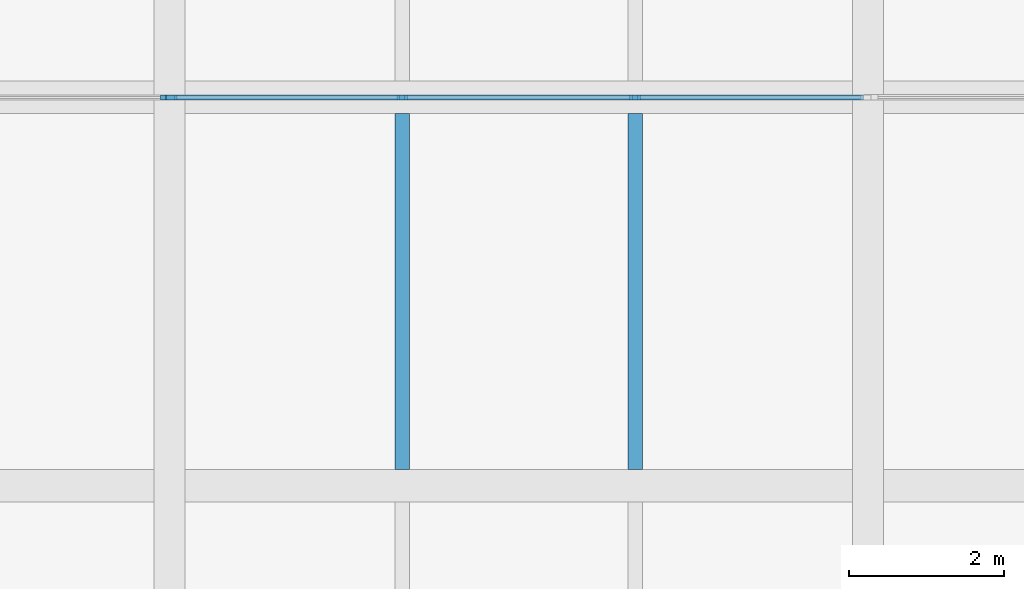
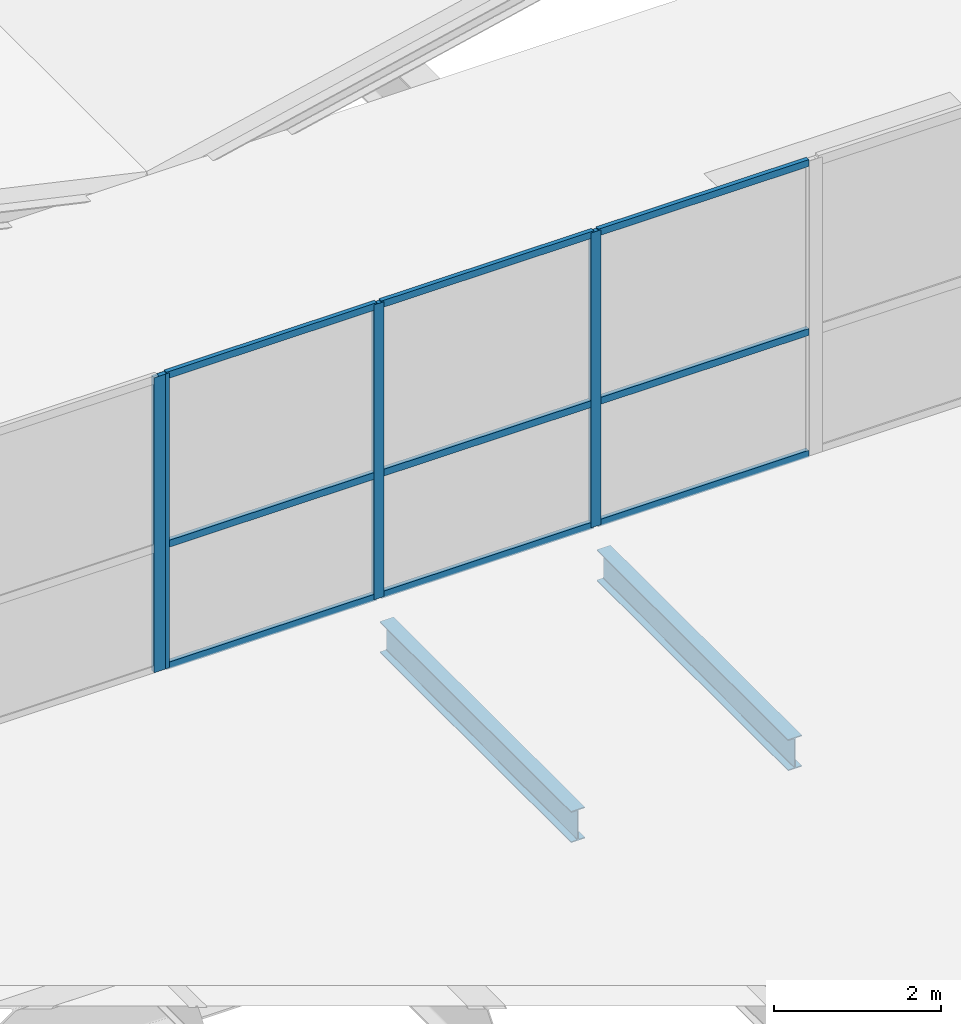
# One storey, part 26 of 50: 13 members, 2 beams, 2 elements without a shape of their own.
"""IFC4 building model written with IfcOpenShell, lengths in metres."""

import ifcopenshell
import ifcopenshell.guid

model = None  # the IFC model being written
_history = None  # IfcOwnerHistory: only IFC2X3 demands one
_inside = {}  # id of a spatial element -> (the spatial element, [elements in it])
_under = {}  # id of a project, library or spatial element -> (it, [spatial elements below it])
_declared = {}  # id of a project -> (the project, [libraries it declares])
_typed = {}  # id of a type object -> (the type object, [elements of that type])
_made_of = {}  # id of a material, layer set ... -> (it, [elements and type objects made of it])


def new_model(schema):
    """Start an empty IFC model of exactly this schema.

    Asked for "IFC4X3", IfcOpenShell would pick the latest addendum, in which some entities
    have other attributes; the version numbers below select the first issue.
    IFC2X3 requires an IfcOwnerHistory on every rooted entity: one is made here for all.
    """
    global model, _history
    if schema == "IFC4X3":
        model = ifcopenshell.file(schema_version=(4, 3, 0, 0))
    else:
        model = ifcopenshell.file(schema=schema)
    _inside.clear()
    _under.clear()
    _declared.clear()
    _typed.clear()
    _made_of.clear()
    _history = None
    if model.schema == "IFC2X3":
        org = make("IfcOrganization", Name="unknown")
        user = make(
            "IfcPersonAndOrganization",
            ThePerson=make("IfcPerson", FamilyName="unknown"),
            TheOrganization=org,
        )
        app = make(
            "IfcApplication",
            ApplicationDeveloper=org,
            Version="unknown",
            ApplicationFullName="unknown",
            ApplicationIdentifier="unknown",
        )
        _history = make(
            "IfcOwnerHistory",
            OwningUser=user,
            OwningApplication=app,
            ChangeAction="ADDED",
            CreationDate=0,
        )
    return model


def make(cls, **values):
    """One entity of the class cls with the attributes given. An attribute that is None is left unset."""
    return model.create_entity(
        cls, **{name: value for name, value in values.items() if value is not None}
    )


def rooted(cls, **values):
    """An entity with a GlobalId (a new one), such as an element, a storey or a relation."""
    return make(cls, GlobalId=ifcopenshell.guid.new(), OwnerHistory=_history, **values)


def si_unit(unit_type, name, prefix=None):
    """IfcSIUnit, for example si_unit("LENGTHUNIT", "METRE", prefix="MILLI")."""
    return make("IfcSIUnit", UnitType=unit_type, Prefix=prefix, Name=name)


def assignment(units):
    """IfcUnitAssignment: the units of a project."""
    return None if units is None else make("IfcUnitAssignment", Units=units)


def point(xyz):
    """IfcCartesianPoint."""
    return None if xyz is None else make("IfcCartesianPoint", Coordinates=xyz)


def direction(xyz):
    """IfcDirection."""
    return None if xyz is None else make("IfcDirection", DirectionRatios=xyz)


def frame(location, z_axis=None, x_axis=None):
    """IfcAxis2Placement3D, a coordinate frame: its origin and axes. An axis left out is left unset."""
    return make(
        "IfcAxis2Placement3D",
        Location=point(location),
        Axis=direction(z_axis),
        RefDirection=direction(x_axis),
    )


def frame_2d(location, x_axis=None):
    """IfcAxis2Placement2D, a coordinate frame in the plane: its origin and x axis."""
    return make(
        "IfcAxis2Placement2D", Location=point(location), RefDirection=direction(x_axis)
    )


def origin():
    """The frame at (0, 0, 0) with its axes left unset."""
    return frame((0.0, 0.0, 0.0))


def origin_2d():
    """The frame at (0, 0) in the plane with its x axis left unset."""
    return frame_2d((0.0, 0.0))


def place(relative_to, where):
    """IfcLocalPlacement: puts the frame where relative to a parent placement (None: the world)."""
    return make(
        "IfcLocalPlacement", PlacementRelTo=relative_to, RelativePlacement=where
    )


def context(
    kind, dimensions, precision=None, world=None, true_north=None, identifier=None
):
    """IfcGeometricRepresentationContext, for example the 3D "Model" context."""
    return make(
        "IfcGeometricRepresentationContext",
        ContextIdentifier=identifier,
        ContextType=kind,
        CoordinateSpaceDimension=dimensions,
        Precision=precision,
        WorldCoordinateSystem=world,
        TrueNorth=true_north,
    )


def subcontext(parent, identifier, kind, view, scale=None):
    """IfcGeometricRepresentationSubContext, for example "Body" below "Model"."""
    return make(
        "IfcGeometricRepresentationSubContext",
        ContextIdentifier=identifier,
        ContextType=kind,
        ParentContext=parent,
        TargetScale=scale,
        TargetView=view,
    )


def project(units=None, contexts=None):
    """IfcProject with its units and contexts."""
    return rooted(
        "IfcProject",
        Name="project",
        RepresentationContexts=contexts,
        UnitsInContext=assignment(units),
    )


def spatial(cls, under=None, at=None, **own):
    """A site, building, storey or space (cls), placed at a placement, below another one or the project."""
    s = rooted(cls, ObjectPlacement=at, **own)
    if under is not None:
        _under.setdefault(under.id(), (under, []))[1].append(s)
    return s


def profile(cls, at=None, kind="AREA", **sizes):
    """A parametric profile (cls). Its sizes go by their IFC names, for example OverallWidth=200.0."""
    return make(cls, ProfileType=kind, Position=at, **sizes)


def rectangle(**sizes):
    """IfcRectangleProfileDef."""
    return profile("IfcRectangleProfileDef", **sizes)


def i_section(**sizes):
    """IfcIShapeProfileDef."""
    return profile("IfcIShapeProfileDef", **sizes)


def extrude(swept, where, along, depth):
    """IfcExtrudedAreaSolid: the profile swept, set in the frame where, extruded along a direction by depth."""
    return make(
        "IfcExtrudedAreaSolid",
        SweptArea=swept,
        Position=where,
        ExtrudedDirection=direction(along),
        Depth=depth,
    )


def shape(context_of_items, identifier, shape_type, items):
    """IfcShapeRepresentation: the items that make up one representation, for example the "Body"."""
    return make(
        "IfcShapeRepresentation",
        ContextOfItems=context_of_items,
        RepresentationIdentifier=identifier,
        RepresentationType=shape_type,
        Items=items,
    )


def material(Name=None, Category=None):
    """IfcMaterial."""
    return make("IfcMaterial", Name=Name, Category=Category)


def layer(
    of_material, thickness, ventilated=None, Name=None, Category=None, Priority=None
):
    """IfcMaterialLayer: one layer of a wall or slab, of a material (None: an air gap)."""
    return make(
        "IfcMaterialLayer",
        Material=of_material,
        LayerThickness=thickness,
        IsVentilated=ventilated,
        Name=Name,
        Category=Category,
        Priority=Priority,
    )


def layer_set(layers, Name=None):
    """IfcMaterialLayerSet."""
    return make("IfcMaterialLayerSet", MaterialLayers=layers, LayerSetName=Name)


def material_profile(
    of_material, cross_section, Name=None, Category=None, Priority=None
):
    """IfcMaterialProfile: a cross section and its material."""
    return make(
        "IfcMaterialProfile",
        Name=Name,
        Material=of_material,
        Profile=cross_section,
        Priority=Priority,
        Category=Category,
    )


def profile_set(profiles, Name=None, composite=None):
    """IfcMaterialProfileSet."""
    return make(
        "IfcMaterialProfileSet",
        Name=Name,
        MaterialProfiles=profiles,
        CompositeProfile=composite,
    )


def made_of(thing, what):
    """Note that an element or type object is made of a material, layer set ...; save() writes the relation."""
    if what is not None:
        _made_of.setdefault(what.id(), (what, []))[1].append(thing)
    return thing


def type_object(cls, material=None, **own):
    """A type object (cls), such as IfcWallType, which elements share."""
    return made_of(rooted(cls, **own), material)


def element(
    cls,
    number,
    at=None,
    inside=None,
    cuts=None,
    type_object=None,
    material=None,
    context=None,
    identifier="Body",
    shape_type=None,
    held_by="IfcProductDefinitionShape",
    body=None,
    shapes=None,
    **own,
):
    """One element of the class cls, such as IfcWall. Its Tag is "e" and its number.

    at: its placement. inside: the storey or other place that contains it. cuts: it is an
    opening in that element (IfcRelVoidsElement). A single representation is given by context,
    identifier, shape_type and body (its items); several are given by shapes. held_by: the class
    of the entity that holds the representations. save() writes the other relations.
    """
    e = rooted(cls, Tag="e%d" % number, ObjectPlacement=at, **own)
    if body is not None:
        shapes = [shape(context, identifier, shape_type, body)]
    if shapes is not None:
        e.Representation = make(held_by, Representations=shapes)
    if inside is not None:
        _inside.setdefault(inside.id(), (inside, []))[1].append(e)
    if cuts is not None:
        rooted(
            "IfcRelVoidsElement", RelatingBuildingElement=cuts, RelatedOpeningElement=e
        )
    if type_object is not None:
        _typed.setdefault(type_object.id(), (type_object, []))[1].append(e)
    return made_of(e, material)


def aggregate(whole, parts):
    """IfcRelAggregates: a whole, such as a stair, and the parts it consists of."""
    return rooted("IfcRelAggregates", RelatingObject=whole, RelatedObjects=parts)


def save(model, path):
    """Write the relations noted so far, then the file.

    IfcRelAggregates (storeys below a building ...), IfcRelContainedInSpatialStructure (elements
    in a storey), IfcRelDefinesByType, IfcRelAssociatesMaterial and IfcRelDeclares: one each for
    every whole, place, type object, material and project.
    """
    for whole, parts in _under.values():
        aggregate(whole, parts)
    for where, things in _inside.values():
        rooted(
            "IfcRelContainedInSpatialStructure",
            RelatedElements=things,
            RelatingStructure=where,
        )
    for kind, things in _typed.values():
        rooted("IfcRelDefinesByType", RelatedObjects=things, RelatingType=kind)
    for what, things in _made_of.values():
        rooted("IfcRelAssociatesMaterial", RelatedObjects=things, RelatingMaterial=what)
    for by, libraries in _declared.values():
        rooted("IfcRelDeclares", RelatingContext=by, RelatedDefinitions=libraries)
    model.write(path)


model = new_model("IFC4")

# Units and contexts
model_context = context("Model", 3, precision=1e-05, world=origin(), true_north=direction((0.0, 1.0)))
body_context = subcontext(model_context, "Body", "Model", "MODEL_VIEW")
ifc_project = project(units=[si_unit("LENGTHUNIT", "METRE"), si_unit("AREAUNIT", "SQUARE_METRE"), si_unit("VOLUMEUNIT", "CUBIC_METRE"), si_unit("PLANEANGLEUNIT", "RADIAN"), si_unit("MASSUNIT", "GRAM", prefix="KILO")], contexts=[model_context])

# Site, building, storey
site_placement = place(None, origin())
site = spatial("IfcSite", under=ifc_project, at=site_placement, CompositionType="ELEMENT")
building_placement = place(site_placement, origin())
building = spatial("IfcBuilding", under=site, at=building_placement, Name="Qamarlyn Nura Convention Centre", CompositionType="ELEMENT")
storey_placement = place(building_placement, frame((0.0, 0.0, 20.39990234375)))
storey = spatial("IfcBuildingStorey", under=building, at=storey_placement, Name="L04", CompositionType="ELEMENT", Elevation=20.39990234375)

# Beams
ifc_material_1 = material(Name="Steel ASTM A992", Category="steel")
ifc_material_profile_1 = material_profile(ifc_material_1, i_section(OverallWidth=0.18994140625, OverallDepth=0.45703125, WebThickness=0.009033203125, FlangeThickness=0.014404296875, FilletRadius=0.012939453125, at=origin_2d()), Name="W460X74")
ifc_profile_set_1 = profile_set([ifc_material_profile_1], Name="Steel ASTM A992")
beam_type = type_object("IfcBeamType", Name="BM-JOIST-460", PredefinedType="JOIST", material=ifc_profile_set_1)
for number, where, z_axis, x_axis, name in (
    (1, (174.0, 103.208984375, -0.428466796875), (0.0, 1.0, 0.0), (-1.0, 0.0, 0.0), "L04 secondary joist 15-16/M-N-54"),
    (2, (177.0, 103.208984375, -0.428466796875), (0.0, 1.0, 0.0), (-1.0, 0.0, 0.0), "L04 secondary joist 15-16/M-N-55"),
):
    element("IfcBeam", number, at=place(storey_placement, frame(where, z_axis=z_axis, x_axis=x_axis)), inside=storey, type_object=beam_type, Name=name, PredefinedType="JOIST", context=body_context, shape_type="SweptSolid", body=[
        extrude(i_section(OverallWidth=0.18994140625, OverallDepth=0.45703125, WebThickness=0.009033203125, FlangeThickness=0.014404296875, FilletRadius=0.012939453125, at=origin_2d()), origin(), (0.0, 0.0, 1.0), 4.58203125),
    ])

# Curtain wall, members
ifc_material_2 = material(Name="Double-silver low-E insulated glass", Category="glass")
ifc_layer = layer(ifc_material_2, 0.179931640625, Name="CW-UNIT-149")
ifc_layer_set = layer_set([ifc_layer], Name="Double-silver low-E insulated glass")
curtain_wall_type = type_object("IfcCurtainWallType", Name="CW-UNIT-149", PredefinedType="NOTDEFINED", material=ifc_layer_set)
curtain_wall_1_placement = place(storey_placement, origin())
curtain_wall_1 = element("IfcCurtainWall", 3, at=curtain_wall_1_placement, inside=storey, type_object=curtain_wall_type, Name="L04 unitised curtain wall DLN-171-1", PredefinedType="NOTDEFINED")
ifc_material_3 = material(Name="Champagne-anodised marine aluminium", Category="aluminium")
ifc_material_profile_2 = material_profile(ifc_material_3, rectangle(XDim=0.06005859375, YDim=0.139892578125, at=origin_2d()), Name="ALU MULLION 60x140")
ifc_profile_set_2 = profile_set([ifc_material_profile_2], Name="Champagne-anodised marine aluminium")
member_type_1 = type_object("IfcMemberType", Name="CWM-140", PredefinedType="MULLION", material=ifc_profile_set_2)
member_1_placement = place(storey_placement, frame((171.030029296875, 108.0, 0.0), z_axis=(0.0, 0.0, 1.0), x_axis=(0.0, 1.0, 0.0)))
member_1 = element("IfcMember", 4, at=member_1_placement, type_object=member_type_1, Name="CW149 mullion 1", PredefinedType="MULLION", context=body_context, shape_type="SweptSolid", body=[
    extrude(rectangle(XDim=0.06005859375, YDim=0.139892578125, at=origin_2d()), origin(), (0.0, 0.0, 1.0), 4.31005859375),
])
member_2_placement = place(storey_placement, frame((174.0, 108.0, 0.0), z_axis=(0.0, 0.0, 1.0), x_axis=(0.0, 1.0, 0.0)))
member_2 = element("IfcMember", 5, at=member_2_placement, type_object=member_type_1, Name="CW149 mullion 2", PredefinedType="MULLION", context=body_context, shape_type="SweptSolid", body=[
    extrude(rectangle(XDim=0.06005859375, YDim=0.139892578125, at=origin_2d()), origin(), (0.0, 0.0, 1.0), 4.31005859375),
])
member_3_placement = place(storey_placement, frame((177.0, 108.0, 0.0), z_axis=(0.0, 0.0, 1.0), x_axis=(0.0, 1.0, 0.0)))
member_3 = element("IfcMember", 6, at=member_3_placement, type_object=member_type_1, Name="CW149 mullion 3", PredefinedType="MULLION", context=body_context, shape_type="SweptSolid", body=[
    extrude(rectangle(XDim=0.06005859375, YDim=0.139892578125, at=origin_2d()), origin(), (0.0, 0.0, 1.0), 4.31005859375),
])

# Curtain wall, member
curtain_wall_2_placement = place(storey_placement, origin())
curtain_wall_2 = element("IfcCurtainWall", 7, at=curtain_wall_2_placement, inside=storey, type_object=curtain_wall_type, Name="L04 unitised curtain wall DLN-162-1", PredefinedType="NOTDEFINED")
ifc_material_profile_3 = material_profile(ifc_material_3, rectangle(XDim=0.06494140625, YDim=0.159912109375, at=origin_2d()), Name="ALU MULLION 65x160")
ifc_profile_set_3 = profile_set([ifc_material_profile_3], Name="Champagne-anodised marine aluminium")
member_type_2 = type_object("IfcMemberType", Name="CWM-160", PredefinedType="MULLION", material=ifc_profile_set_3)
member_4_placement = place(storey_placement, frame((170.967529296875, 108.0, 0.0), z_axis=(0.0, 0.0, 1.0), x_axis=(0.0, 1.0, 0.0)))
member_4 = element("IfcMember", 8, at=member_4_placement, type_object=member_type_2, Name="CW149 mullion 4", PredefinedType="MULLION", context=body_context, shape_type="SweptSolid", body=[
    extrude(rectangle(XDim=0.06494140625, YDim=0.159912109375, at=origin_2d()), origin(), (0.0, 0.0, 1.0), 4.31005859375),
])
aggregate(curtain_wall_2, [member_4])

# Member
ifc_material_profile_4 = material_profile(ifc_material_3, rectangle(XDim=0.06005859375, YDim=0.10009765625, at=origin_2d()), Name="ALU TRANSOM 60x100")
ifc_profile_set_4 = profile_set([ifc_material_profile_4], Name="Champagne-anodised marine aluminium")
member_type_3 = type_object("IfcMemberType", Name="CWT-100", PredefinedType="USERDEFINED", material=ifc_profile_set_4)
member_5_placement = place(storey_placement, frame((171.06005859375, 108.0, 0.030029296875), z_axis=(1.0, 0.0, 0.0), x_axis=(0.0, 1.0, 0.0)))
member_5 = element("IfcMember", 9, at=member_5_placement, type_object=member_type_3, Name="CW149 transom 1.1", ObjectType="TRANSOM", PredefinedType="USERDEFINED", context=body_context, shape_type="SweptSolid", body=[
    extrude(rectangle(XDim=0.06005859375, YDim=0.10009765625, at=origin_2d()), origin(), (0.0, 0.0, 1.0), 2.909912109375),
])

member_6_placement = place(storey_placement, frame((171.06005859375, 108.0, 1.81005859375), z_axis=(1.0, 0.0, 0.0), x_axis=(0.0, 1.0, 0.0)))
member_6 = element("IfcMember", 10, at=member_6_placement, type_object=member_type_3, Name="CW149 transom 1.2", ObjectType="TRANSOM", PredefinedType="USERDEFINED", context=body_context, shape_type="SweptSolid", body=[
    extrude(rectangle(XDim=0.06005859375, YDim=0.10009765625, at=origin_2d()), origin(), (0.0, 0.0, 1.0), 2.909912109375),
])

member_7_placement = place(storey_placement, frame((171.06005859375, 108.0, 4.280029296875), z_axis=(1.0, 0.0, 0.0), x_axis=(0.0, 1.0, 0.0)))
member_7 = element("IfcMember", 11, at=member_7_placement, type_object=member_type_3, Name="CW149 transom 1.3", ObjectType="TRANSOM", PredefinedType="USERDEFINED", context=body_context, shape_type="SweptSolid", body=[
    extrude(rectangle(XDim=0.06005859375, YDim=0.10009765625, at=origin_2d()), origin(), (0.0, 0.0, 1.0), 2.909912109375),
])

member_8_placement = place(storey_placement, frame((174.030029296875, 108.0, 0.030029296875), z_axis=(1.0, 0.0, 0.0), x_axis=(0.0, 1.0, 0.0)))
member_8 = element("IfcMember", 12, at=member_8_placement, type_object=member_type_3, Name="CW149 transom 2.1", ObjectType="TRANSOM", PredefinedType="USERDEFINED", context=body_context, shape_type="SweptSolid", body=[
    extrude(rectangle(XDim=0.06005859375, YDim=0.10009765625, at=origin_2d()), origin(), (0.0, 0.0, 1.0), 2.93994140625),
])

member_9_placement = place(storey_placement, frame((174.030029296875, 108.0, 1.81005859375), z_axis=(1.0, 0.0, 0.0), x_axis=(0.0, 1.0, 0.0)))
member_9 = element("IfcMember", 13, at=member_9_placement, type_object=member_type_3, Name="CW149 transom 2.2", ObjectType="TRANSOM", PredefinedType="USERDEFINED", context=body_context, shape_type="SweptSolid", body=[
    extrude(rectangle(XDim=0.06005859375, YDim=0.10009765625, at=origin_2d()), origin(), (0.0, 0.0, 1.0), 2.93994140625),
])

member_10_placement = place(storey_placement, frame((174.030029296875, 108.0, 4.280029296875), z_axis=(1.0, 0.0, 0.0), x_axis=(0.0, 1.0, 0.0)))
member_10 = element("IfcMember", 14, at=member_10_placement, type_object=member_type_3, Name="CW149 transom 2.3", ObjectType="TRANSOM", PredefinedType="USERDEFINED", context=body_context, shape_type="SweptSolid", body=[
    extrude(rectangle(XDim=0.06005859375, YDim=0.10009765625, at=origin_2d()), origin(), (0.0, 0.0, 1.0), 2.93994140625),
])

member_11_placement = place(storey_placement, frame((177.030029296875, 108.0, 0.030029296875), z_axis=(1.0, 0.0, 0.0), x_axis=(0.0, 1.0, 0.0)))
member_11 = element("IfcMember", 15, at=member_11_placement, type_object=member_type_3, Name="CW149 transom 3.1", ObjectType="TRANSOM", PredefinedType="USERDEFINED", context=body_context, shape_type="SweptSolid", body=[
    extrude(rectangle(XDim=0.06005859375, YDim=0.10009765625, at=origin_2d()), origin(), (0.0, 0.0, 1.0), 2.909912109375),
])

member_12_placement = place(storey_placement, frame((177.030029296875, 108.0, 1.81005859375), z_axis=(1.0, 0.0, 0.0), x_axis=(0.0, 1.0, 0.0)))
member_12 = element("IfcMember", 16, at=member_12_placement, type_object=member_type_3, Name="CW149 transom 3.2", ObjectType="TRANSOM", PredefinedType="USERDEFINED", context=body_context, shape_type="SweptSolid", body=[
    extrude(rectangle(XDim=0.06005859375, YDim=0.10009765625, at=origin_2d()), origin(), (0.0, 0.0, 1.0), 2.909912109375),
])

member_13_placement = place(storey_placement, frame((177.030029296875, 108.0, 4.280029296875), z_axis=(1.0, 0.0, 0.0), x_axis=(0.0, 1.0, 0.0)))
member_13 = element("IfcMember", 17, at=member_13_placement, type_object=member_type_3, Name="CW149 transom 3.3", ObjectType="TRANSOM", PredefinedType="USERDEFINED", context=body_context, shape_type="SweptSolid", body=[
    extrude(rectangle(XDim=0.06005859375, YDim=0.10009765625, at=origin_2d()), origin(), (0.0, 0.0, 1.0), 2.909912109375),
])

aggregate(curtain_wall_1, [member_1, member_2, member_3, member_5, member_6, member_7, member_8, member_9, member_10, member_11, member_12, member_13])

save(model, "model.ifc")
